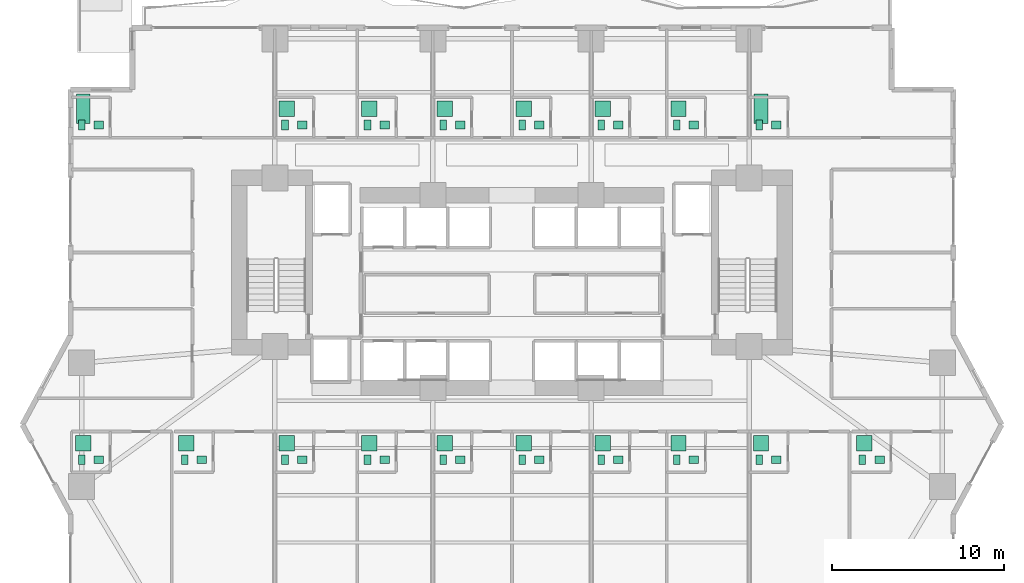
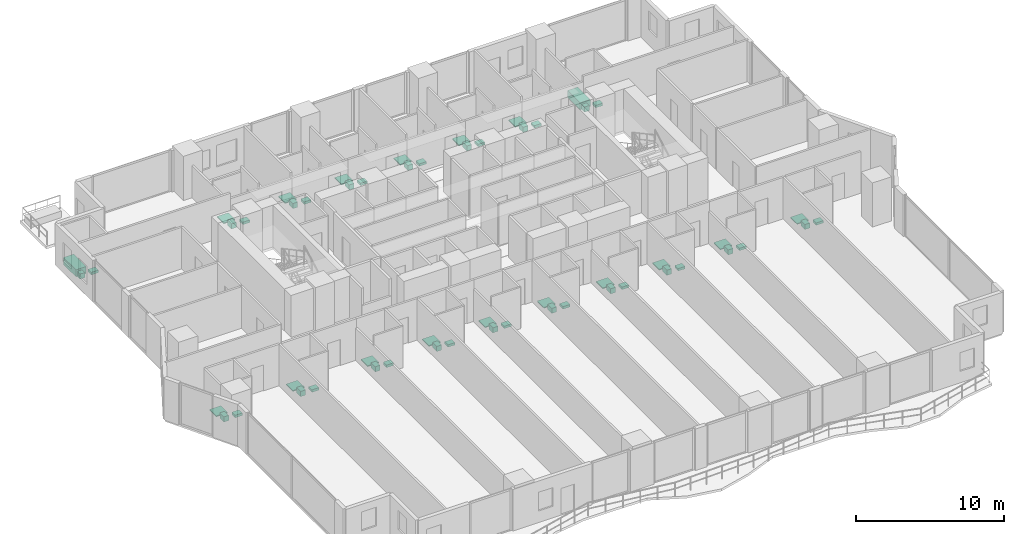
# One storey, part 29 of 29: 54 sanitary terminals.
"""IFC4 building model written with IfcOpenShell, lengths in metres."""

from ifc_helpers import new_model, si_unit, direction, frame, origin, origin_2d, place, context, subcontext, project, spatial, rectangle, extrude, material, type_object, element, save


model = new_model("IFC4")

# Units and contexts
model_context = context("Model", 3, precision=1e-05, world=origin(), true_north=direction((0.0, 1.0)))
body_context = subcontext(model_context, "Body", "Model", "MODEL_VIEW")
ifc_project = project(units=[si_unit("LENGTHUNIT", "METRE"), si_unit("AREAUNIT", "SQUARE_METRE"), si_unit("VOLUMEUNIT", "CUBIC_METRE"), si_unit("PLANEANGLEUNIT", "RADIAN"), si_unit("MASSUNIT", "GRAM", prefix="KILO")], contexts=[model_context])

# Site, building, storey
site_placement = place(None, origin())
site = spatial("IfcSite", under=ifc_project, at=site_placement, CompositionType="ELEMENT")
building_placement = place(site_placement, origin())
building = spatial("IfcBuilding", under=site, at=building_placement, Name="Zuhayl Quay Hotel", CompositionType="ELEMENT")
storey_placement = place(building_placement, frame((0.0, 0.0, 60.449951171875)))
storey = spatial("IfcBuildingStorey", under=building, at=storey_placement, Name="L14", CompositionType="ELEMENT", Elevation=60.449951171875)

# Sanitary terminals
ifc_material = material(Name="Vitreous Porcelain Sanitaryware")
sanitary_terminal_type_1 = type_object("IfcSanitaryTerminalType", Name="SAN_BASIN", PredefinedType="WASHHANDBASIN", material=ifc_material)
for number, where, z_axis, x_axis, name in (
    (1, (-24.050048828125, 17.43994140625, 0.0), (0.0, 0.0, 1.0), (1.0, 0.0, 0.0), "L14 Sanitary Fixture WASHHANDBASIN"),
    (2, (-12.2099609375, 17.43994140625, 0.0), (0.0, 0.0, 1.0), (1.0, 0.0, 0.0), "L14 Sanitary Fixture WASHHANDBASIN"),
    (3, (-7.409912109375, 17.43994140625, 0.0), (0.0, 0.0, 1.0), (1.0, 0.0, 0.0), "L14 Sanitary Fixture WASHHANDBASIN"),
    (4, (-3.010009765625, 17.43994140625, 0.0), (0.0, 0.0, 1.0), (1.0, 0.0, 0.0), "L14 Sanitary Fixture WASHHANDBASIN"),
    (5, (1.590087890625, 17.43994140625, 0.0), (0.0, 0.0, 1.0), (1.0, 0.0, 0.0), "L14 Sanitary Fixture WASHHANDBASIN"),
    (6, (6.18994140625, 17.43994140625, 0.0), (0.0, 0.0, 1.0), (1.0, 0.0, 0.0), "L14 Sanitary Fixture WASHHANDBASIN"),
    (7, (10.590087890625, 17.43994140625, 0.0), (0.0, 0.0, 1.0), (1.0, 0.0, 0.0), "L14 Sanitary Fixture WASHHANDBASIN"),
    (8, (15.389892578125, 17.43994140625, 0.0), (0.0, 0.0, 1.0), (1.0, 0.0, 0.0), "L14 Sanitary Fixture WASHHANDBASIN"),
    (9, (-24.050048828125, -2.0400390625, 0.0), (0.0, 0.0, 1.0), (1.0, 0.0, 0.0), "L14 Sanitary Fixture WASHHANDBASIN"),
    (10, (-18.050048828125, -2.0400390625, 0.0), (0.0, 0.0, 1.0), (1.0, 0.0, 0.0), "L14 Sanitary Fixture WASHHANDBASIN"),
    (11, (-12.2099609375, -2.0400390625, 0.0), (0.0, 0.0, 1.0), (1.0, 0.0, 0.0), "L14 Sanitary Fixture WASHHANDBASIN"),
    (12, (-7.409912109375, -2.0400390625, 0.0), (0.0, 0.0, 1.0), (1.0, 0.0, 0.0), "L14 Sanitary Fixture WASHHANDBASIN"),
    (13, (-3.010009765625, -2.0400390625, 0.0), (0.0, 0.0, 1.0), (1.0, 0.0, 0.0), "L14 Sanitary Fixture WASHHANDBASIN"),
    (14, (1.590087890625, -2.0400390625, 0.0), (0.0, 0.0, 1.0), (1.0, 0.0, 0.0), "L14 Sanitary Fixture WASHHANDBASIN"),
    (15, (6.18994140625, -2.0400390625, 0.0), (0.0, 0.0, 1.0), (1.0, 0.0, 0.0), "L14 Sanitary Fixture WASHHANDBASIN"),
    (16, (10.590087890625, -2.0400390625, 0.0), (0.0, 0.0, 1.0), (1.0, 0.0, 0.0), "L14 Sanitary Fixture WASHHANDBASIN"),
    (17, (15.389892578125, -2.0400390625, 0.0), (0.0, 0.0, 1.0), (1.0, 0.0, 0.0), "L14 Sanitary Fixture WASHHANDBASIN"),
    (18, (21.389892578125, -2.0400390625, 0.0), (0.0, 0.0, 1.0), (1.0, 0.0, 0.0), "L14 Sanitary Fixture WASHHANDBASIN"),
):
    element("IfcSanitaryTerminal", number, at=place(storey_placement, frame(where, z_axis=z_axis, x_axis=x_axis)), inside=storey, type_object=sanitary_terminal_type_1, Name=name, PredefinedType="WASHHANDBASIN", context=body_context, shape_type="SweptSolid", body=[
        extrude(rectangle(XDim=0.550048828125, YDim=0.449951171875, at=origin_2d()), origin(), (0.0, 0.0, 1.0), 0.199951171875),
    ])
sanitary_terminal_type_2 = type_object("IfcSanitaryTerminalType", Name="SAN_BATH", PredefinedType="BATH", material=ifc_material)
for number, where, z_axis, x_axis, name in (
    (19, (-24.949951171875, 18.389892578125, 0.0), (0.0, 0.0, 1.0), (1.0, 0.0, 0.0), "L14 Sanitary Fixture BATH"),
    (20, (14.489990234375, 18.389892578125, 0.0), (0.0, 0.0, 1.0), (1.0, 0.0, 0.0), "L14 Sanitary Fixture BATH"),
):
    element("IfcSanitaryTerminal", number, at=place(storey_placement, frame(where, z_axis=z_axis, x_axis=x_axis)), inside=storey, type_object=sanitary_terminal_type_2, Name=name, PredefinedType="BATH", context=body_context, shape_type="SweptSolid", body=[
        extrude(rectangle(XDim=0.800048828125, YDim=1.699951171875, at=origin_2d()), origin(), (0.0, 0.0, 1.0), 0.580078125),
    ])
sanitary_terminal_type_3 = type_object("IfcSanitaryTerminalType", Name="SAN_SHOWER", PredefinedType="SHOWER", material=ifc_material)
for number, where, z_axis, x_axis, name in (
    (21, (-13.110107421875, 18.389892578125, 0.0), (0.0, 0.0, 1.0), (1.0, 0.0, 0.0), "L14 Sanitary Fixture SHOWER"),
    (22, (-8.31005859375, 18.389892578125, 0.0), (0.0, 0.0, 1.0), (1.0, 0.0, 0.0), "L14 Sanitary Fixture SHOWER"),
    (23, (-3.909912109375, 18.389892578125, 0.0), (0.0, 0.0, 1.0), (1.0, 0.0, 0.0), "L14 Sanitary Fixture SHOWER"),
    (24, (0.68994140625, 18.389892578125, 0.0), (0.0, 0.0, 1.0), (1.0, 0.0, 0.0), "L14 Sanitary Fixture SHOWER"),
    (25, (5.2900390625, 18.389892578125, 0.0), (0.0, 0.0, 1.0), (1.0, 0.0, 0.0), "L14 Sanitary Fixture SHOWER"),
    (26, (9.68994140625, 18.389892578125, 0.0), (0.0, 0.0, 1.0), (1.0, 0.0, 0.0), "L14 Sanitary Fixture SHOWER"),
    (27, (-24.949951171875, -1.090087890625, 0.0), (0.0, 0.0, 1.0), (1.0, 0.0, 0.0), "L14 Sanitary Fixture SHOWER"),
    (28, (-18.949951171875, -1.090087890625, 0.0), (0.0, 0.0, 1.0), (1.0, 0.0, 0.0), "L14 Sanitary Fixture SHOWER"),
    (29, (-13.110107421875, -1.090087890625, 0.0), (0.0, 0.0, 1.0), (1.0, 0.0, 0.0), "L14 Sanitary Fixture SHOWER"),
    (30, (-8.31005859375, -1.090087890625, 0.0), (0.0, 0.0, 1.0), (1.0, 0.0, 0.0), "L14 Sanitary Fixture SHOWER"),
    (31, (-3.909912109375, -1.090087890625, 0.0), (0.0, 0.0, 1.0), (1.0, 0.0, 0.0), "L14 Sanitary Fixture SHOWER"),
    (32, (0.68994140625, -1.090087890625, 0.0), (0.0, 0.0, 1.0), (1.0, 0.0, 0.0), "L14 Sanitary Fixture SHOWER"),
    (33, (5.2900390625, -1.090087890625, 0.0), (0.0, 0.0, 1.0), (1.0, 0.0, 0.0), "L14 Sanitary Fixture SHOWER"),
    (34, (9.68994140625, -1.090087890625, 0.0), (0.0, 0.0, 1.0), (1.0, 0.0, 0.0), "L14 Sanitary Fixture SHOWER"),
    (35, (14.489990234375, -1.090087890625, 0.0), (0.0, 0.0, 1.0), (1.0, 0.0, 0.0), "L14 Sanitary Fixture SHOWER"),
    (36, (20.489990234375, -1.090087890625, 0.0), (0.0, 0.0, 1.0), (1.0, 0.0, 0.0), "L14 Sanitary Fixture SHOWER"),
):
    element("IfcSanitaryTerminal", number, at=place(storey_placement, frame(where, z_axis=z_axis, x_axis=x_axis)), inside=storey, type_object=sanitary_terminal_type_3, Name=name, PredefinedType="SHOWER", context=body_context, shape_type="SweptSolid", body=[
        extrude(rectangle(XDim=0.89990234375, YDim=0.89990234375, at=origin_2d()), origin(), (0.0, 0.0, 1.0), 0.080078125),
    ])
sanitary_terminal_type_4 = type_object("IfcSanitaryTerminalType", Name="SAN_WC", PredefinedType="TOILETPAN", material=ifc_material)
for number, where, z_axis, x_axis, name in (
    (37, (-25.050048828125, 17.43994140625, 0.0), (0.0, 0.0, 1.0), (1.0, 0.0, 0.0), "L14 Sanitary Fixture TOILETPAN"),
    (38, (-13.2099609375, 17.43994140625, 0.0), (0.0, 0.0, 1.0), (1.0, 0.0, 0.0), "L14 Sanitary Fixture TOILETPAN"),
    (39, (-8.409912109375, 17.43994140625, 0.0), (0.0, 0.0, 1.0), (1.0, 0.0, 0.0), "L14 Sanitary Fixture TOILETPAN"),
    (40, (-4.010009765625, 17.43994140625, 0.0), (0.0, 0.0, 1.0), (1.0, 0.0, 0.0), "L14 Sanitary Fixture TOILETPAN"),
    (41, (0.590087890625, 17.43994140625, 0.0), (0.0, 0.0, 1.0), (1.0, 0.0, 0.0), "L14 Sanitary Fixture TOILETPAN"),
    (42, (5.18994140625, 17.43994140625, 0.0), (0.0, 0.0, 1.0), (1.0, 0.0, 0.0), "L14 Sanitary Fixture TOILETPAN"),
    (43, (9.590087890625, 17.43994140625, 0.0), (0.0, 0.0, 1.0), (1.0, 0.0, 0.0), "L14 Sanitary Fixture TOILETPAN"),
    (44, (14.389892578125, 17.43994140625, 0.0), (0.0, 0.0, 1.0), (1.0, 0.0, 0.0), "L14 Sanitary Fixture TOILETPAN"),
    (45, (-25.050048828125, -2.0400390625, 0.0), (0.0, 0.0, 1.0), (1.0, 0.0, 0.0), "L14 Sanitary Fixture TOILETPAN"),
    (46, (-19.050048828125, -2.0400390625, 0.0), (0.0, 0.0, 1.0), (1.0, 0.0, 0.0), "L14 Sanitary Fixture TOILETPAN"),
    (47, (-13.2099609375, -2.0400390625, 0.0), (0.0, 0.0, 1.0), (1.0, 0.0, 0.0), "L14 Sanitary Fixture TOILETPAN"),
    (48, (-8.409912109375, -2.0400390625, 0.0), (0.0, 0.0, 1.0), (1.0, 0.0, 0.0), "L14 Sanitary Fixture TOILETPAN"),
    (49, (-4.010009765625, -2.0400390625, 0.0), (0.0, 0.0, 1.0), (1.0, 0.0, 0.0), "L14 Sanitary Fixture TOILETPAN"),
    (50, (0.590087890625, -2.0400390625, 0.0), (0.0, 0.0, 1.0), (1.0, 0.0, 0.0), "L14 Sanitary Fixture TOILETPAN"),
    (51, (5.18994140625, -2.0400390625, 0.0), (0.0, 0.0, 1.0), (1.0, 0.0, 0.0), "L14 Sanitary Fixture TOILETPAN"),
    (52, (9.590087890625, -2.0400390625, 0.0), (0.0, 0.0, 1.0), (1.0, 0.0, 0.0), "L14 Sanitary Fixture TOILETPAN"),
    (53, (14.389892578125, -2.0400390625, 0.0), (0.0, 0.0, 1.0), (1.0, 0.0, 0.0), "L14 Sanitary Fixture TOILETPAN"),
    (54, (20.389892578125, -2.0400390625, 0.0), (0.0, 0.0, 1.0), (1.0, 0.0, 0.0), "L14 Sanitary Fixture TOILETPAN"),
):
    element("IfcSanitaryTerminal", number, at=place(storey_placement, frame(where, z_axis=z_axis, x_axis=x_axis)), inside=storey, type_object=sanitary_terminal_type_4, Name=name, PredefinedType="TOILETPAN", context=body_context, shape_type="SweptSolid", body=[
        extrude(rectangle(XDim=0.3798828125, YDim=0.56005859375, at=origin_2d()), origin(), (0.0, 0.0, 1.0), 0.419921875),
    ])

save(model, "model.ifc")
